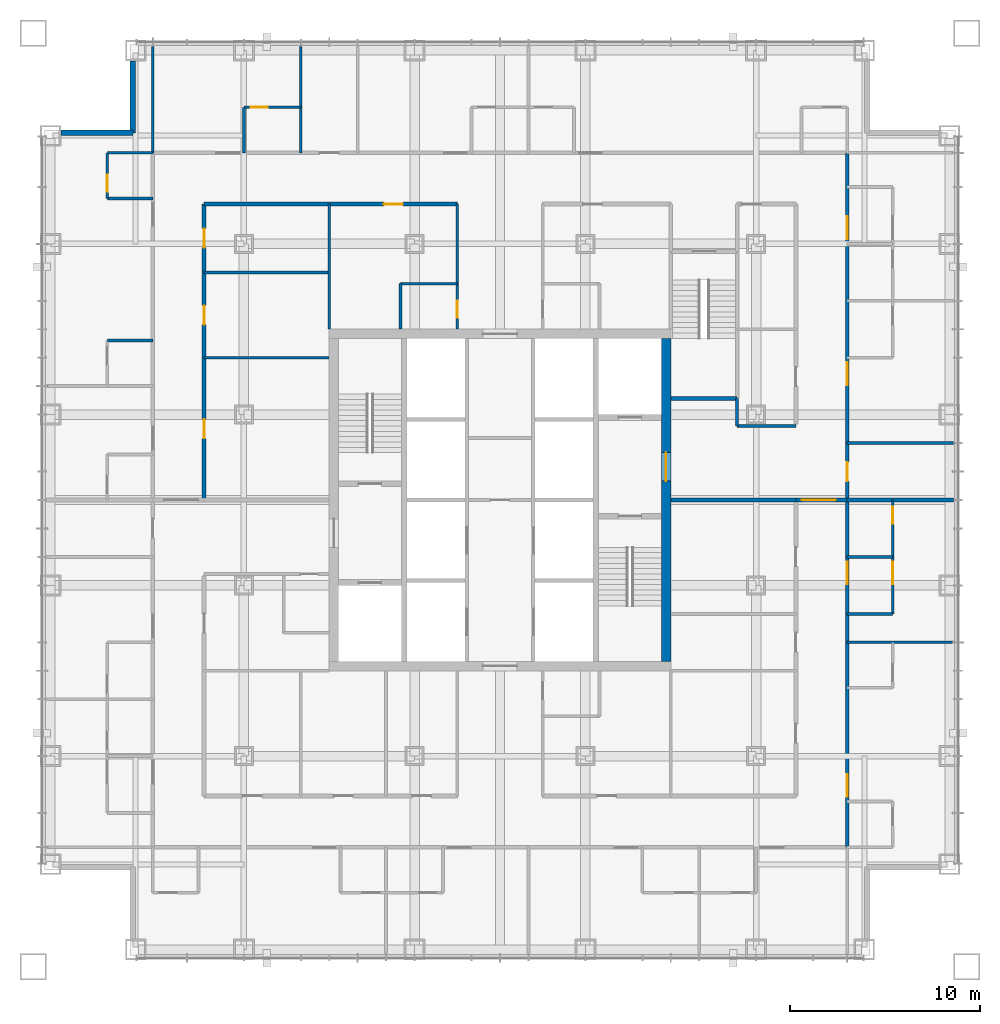
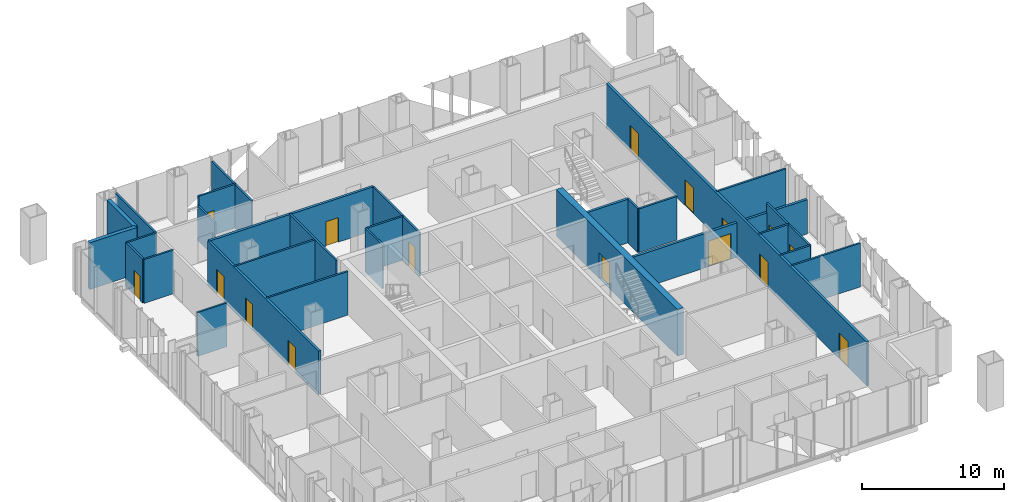
# One storey, part 11 of 14: 32 walls, 16 doors, 16 openings.
"""IFC4 building model written with IfcOpenShell, lengths in metres."""

import ifcopenshell
import ifcopenshell.guid

model = None  # the IFC model being written
_history = None  # IfcOwnerHistory: only IFC2X3 demands one
_inside = {}  # id of a spatial element -> (the spatial element, [elements in it])
_under = {}  # id of a project, library or spatial element -> (it, [spatial elements below it])
_declared = {}  # id of a project -> (the project, [libraries it declares])
_typed = {}  # id of a type object -> (the type object, [elements of that type])
_made_of = {}  # id of a material, layer set ... -> (it, [elements and type objects made of it])


def new_model(schema):
    """Start an empty IFC model of exactly this schema.

    Asked for "IFC4X3", IfcOpenShell would pick the latest addendum, in which some entities
    have other attributes; the version numbers below select the first issue.
    IFC2X3 requires an IfcOwnerHistory on every rooted entity: one is made here for all.
    """
    global model, _history
    if schema == "IFC4X3":
        model = ifcopenshell.file(schema_version=(4, 3, 0, 0))
    else:
        model = ifcopenshell.file(schema=schema)
    _inside.clear()
    _under.clear()
    _declared.clear()
    _typed.clear()
    _made_of.clear()
    _history = None
    if model.schema == "IFC2X3":
        org = make("IfcOrganization", Name="unknown")
        user = make(
            "IfcPersonAndOrganization",
            ThePerson=make("IfcPerson", FamilyName="unknown"),
            TheOrganization=org,
        )
        app = make(
            "IfcApplication",
            ApplicationDeveloper=org,
            Version="unknown",
            ApplicationFullName="unknown",
            ApplicationIdentifier="unknown",
        )
        _history = make(
            "IfcOwnerHistory",
            OwningUser=user,
            OwningApplication=app,
            ChangeAction="ADDED",
            CreationDate=0,
        )
    return model


def make(cls, **values):
    """One entity of the class cls with the attributes given. An attribute that is None is left unset."""
    return model.create_entity(
        cls, **{name: value for name, value in values.items() if value is not None}
    )


def rooted(cls, **values):
    """An entity with a GlobalId (a new one), such as an element, a storey or a relation."""
    return make(cls, GlobalId=ifcopenshell.guid.new(), OwnerHistory=_history, **values)


def si_unit(unit_type, name, prefix=None):
    """IfcSIUnit, for example si_unit("LENGTHUNIT", "METRE", prefix="MILLI")."""
    return make("IfcSIUnit", UnitType=unit_type, Prefix=prefix, Name=name)


def assignment(units):
    """IfcUnitAssignment: the units of a project."""
    return None if units is None else make("IfcUnitAssignment", Units=units)


def point(xyz):
    """IfcCartesianPoint."""
    return None if xyz is None else make("IfcCartesianPoint", Coordinates=xyz)


def direction(xyz):
    """IfcDirection."""
    return None if xyz is None else make("IfcDirection", DirectionRatios=xyz)


def frame(location, z_axis=None, x_axis=None):
    """IfcAxis2Placement3D, a coordinate frame: its origin and axes. An axis left out is left unset."""
    return make(
        "IfcAxis2Placement3D",
        Location=point(location),
        Axis=direction(z_axis),
        RefDirection=direction(x_axis),
    )


def frame_2d(location, x_axis=None):
    """IfcAxis2Placement2D, a coordinate frame in the plane: its origin and x axis."""
    return make(
        "IfcAxis2Placement2D", Location=point(location), RefDirection=direction(x_axis)
    )


def origin():
    """The frame at (0, 0, 0) with its axes left unset."""
    return frame((0.0, 0.0, 0.0))


def place(relative_to, where):
    """IfcLocalPlacement: puts the frame where relative to a parent placement (None: the world)."""
    return make(
        "IfcLocalPlacement", PlacementRelTo=relative_to, RelativePlacement=where
    )


def context(
    kind, dimensions, precision=None, world=None, true_north=None, identifier=None
):
    """IfcGeometricRepresentationContext, for example the 3D "Model" context."""
    return make(
        "IfcGeometricRepresentationContext",
        ContextIdentifier=identifier,
        ContextType=kind,
        CoordinateSpaceDimension=dimensions,
        Precision=precision,
        WorldCoordinateSystem=world,
        TrueNorth=true_north,
    )


def subcontext(parent, identifier, kind, view, scale=None):
    """IfcGeometricRepresentationSubContext, for example "Body" below "Model"."""
    return make(
        "IfcGeometricRepresentationSubContext",
        ContextIdentifier=identifier,
        ContextType=kind,
        ParentContext=parent,
        TargetScale=scale,
        TargetView=view,
    )


def project(units=None, contexts=None):
    """IfcProject with its units and contexts."""
    return rooted(
        "IfcProject",
        Name="project",
        RepresentationContexts=contexts,
        UnitsInContext=assignment(units),
    )


def spatial(cls, under=None, at=None, **own):
    """A site, building, storey or space (cls), placed at a placement, below another one or the project."""
    s = rooted(cls, ObjectPlacement=at, **own)
    if under is not None:
        _under.setdefault(under.id(), (under, []))[1].append(s)
    return s


def profile(cls, at=None, kind="AREA", **sizes):
    """A parametric profile (cls). Its sizes go by their IFC names, for example OverallWidth=200.0."""
    return make(cls, ProfileType=kind, Position=at, **sizes)


def rectangle(**sizes):
    """IfcRectangleProfileDef."""
    return profile("IfcRectangleProfileDef", **sizes)


def extrude(swept, where, along, depth):
    """IfcExtrudedAreaSolid: the profile swept, set in the frame where, extruded along a direction by depth."""
    return make(
        "IfcExtrudedAreaSolid",
        SweptArea=swept,
        Position=where,
        ExtrudedDirection=direction(along),
        Depth=depth,
    )


def shape(context_of_items, identifier, shape_type, items):
    """IfcShapeRepresentation: the items that make up one representation, for example the "Body"."""
    return make(
        "IfcShapeRepresentation",
        ContextOfItems=context_of_items,
        RepresentationIdentifier=identifier,
        RepresentationType=shape_type,
        Items=items,
    )


def material(Name=None, Category=None):
    """IfcMaterial."""
    return make("IfcMaterial", Name=Name, Category=Category)


def layer(
    of_material, thickness, ventilated=None, Name=None, Category=None, Priority=None
):
    """IfcMaterialLayer: one layer of a wall or slab, of a material (None: an air gap)."""
    return make(
        "IfcMaterialLayer",
        Material=of_material,
        LayerThickness=thickness,
        IsVentilated=ventilated,
        Name=Name,
        Category=Category,
        Priority=Priority,
    )


def layer_set(layers, Name=None):
    """IfcMaterialLayerSet."""
    return make("IfcMaterialLayerSet", MaterialLayers=layers, LayerSetName=Name)


def made_of(thing, what):
    """Note that an element or type object is made of a material, layer set ...; save() writes the relation."""
    if what is not None:
        _made_of.setdefault(what.id(), (what, []))[1].append(thing)
    return thing


def type_object(cls, material=None, **own):
    """A type object (cls), such as IfcWallType, which elements share."""
    return made_of(rooted(cls, **own), material)


def element(
    cls,
    number,
    at=None,
    inside=None,
    cuts=None,
    type_object=None,
    material=None,
    context=None,
    identifier="Body",
    shape_type=None,
    held_by="IfcProductDefinitionShape",
    body=None,
    shapes=None,
    **own,
):
    """One element of the class cls, such as IfcWall. Its Tag is "e" and its number.

    at: its placement. inside: the storey or other place that contains it. cuts: it is an
    opening in that element (IfcRelVoidsElement). A single representation is given by context,
    identifier, shape_type and body (its items); several are given by shapes. held_by: the class
    of the entity that holds the representations. save() writes the other relations.
    """
    e = rooted(cls, Tag="e%d" % number, ObjectPlacement=at, **own)
    if body is not None:
        shapes = [shape(context, identifier, shape_type, body)]
    if shapes is not None:
        e.Representation = make(held_by, Representations=shapes)
    if inside is not None:
        _inside.setdefault(inside.id(), (inside, []))[1].append(e)
    if cuts is not None:
        rooted(
            "IfcRelVoidsElement", RelatingBuildingElement=cuts, RelatedOpeningElement=e
        )
    if type_object is not None:
        _typed.setdefault(type_object.id(), (type_object, []))[1].append(e)
    return made_of(e, material)


def fill(opening, filler):
    """IfcRelFillsElement: the door or window that sits in an opening."""
    return rooted(
        "IfcRelFillsElement",
        RelatingOpeningElement=opening,
        RelatedBuildingElement=filler,
    )


def aggregate(whole, parts):
    """IfcRelAggregates: a whole, such as a stair, and the parts it consists of."""
    return rooted("IfcRelAggregates", RelatingObject=whole, RelatedObjects=parts)


def save(model, path):
    """Write the relations noted so far, then the file.

    IfcRelAggregates (storeys below a building ...), IfcRelContainedInSpatialStructure (elements
    in a storey), IfcRelDefinesByType, IfcRelAssociatesMaterial and IfcRelDeclares: one each for
    every whole, place, type object, material and project.
    """
    for whole, parts in _under.values():
        aggregate(whole, parts)
    for where, things in _inside.values():
        rooted(
            "IfcRelContainedInSpatialStructure",
            RelatedElements=things,
            RelatingStructure=where,
        )
    for kind, things in _typed.values():
        rooted("IfcRelDefinesByType", RelatedObjects=things, RelatingType=kind)
    for what, things in _made_of.values():
        rooted("IfcRelAssociatesMaterial", RelatedObjects=things, RelatingMaterial=what)
    for by, libraries in _declared.values():
        rooted("IfcRelDeclares", RelatingContext=by, RelatedDefinitions=libraries)
    model.write(path)


model = new_model("IFC4")

# Units and contexts
model_context = context("Model", 3, precision=1e-05, world=origin(), true_north=direction((0.0, 1.0)))
body_context = subcontext(model_context, "Body", "Model", "MODEL_VIEW")
ifc_project = project(units=[si_unit("LENGTHUNIT", "METRE"), si_unit("AREAUNIT", "SQUARE_METRE"), si_unit("VOLUMEUNIT", "CUBIC_METRE"), si_unit("PLANEANGLEUNIT", "RADIAN"), si_unit("MASSUNIT", "GRAM", prefix="KILO")], contexts=[model_context])

# Site, building, storey
site_placement = place(None, origin())
site = spatial("IfcSite", under=ifc_project, at=site_placement, CompositionType="ELEMENT")
building_placement = place(site_placement, origin())
building = spatial("IfcBuilding", under=site, at=building_placement, Name="Malebo Sky Hospital", CompositionType="ELEMENT")
storey_placement = place(building_placement, frame((0.0, 0.0, 148.0)))
storey = spatial("IfcBuildingStorey", under=building, at=storey_placement, Name="L35", CompositionType="ELEMENT", Elevation=148.0)

# Wall, opening, door
ifc_material_1 = material(Name="Concrete C80/95", Category="concrete")
ifc_layer_1 = layer(ifc_material_1, 0.5)
ifc_layer_set_1 = layer_set([ifc_layer_1], Name="CORE WALL 500")
wall_type_1 = type_object("IfcWallType", Name="CORE WALL 500", PredefinedType="SHEAR", material=ifc_layer_set_1)
wall_1_placement = place(storey_placement, frame((68.75, 53.5, 0.0), z_axis=(0.0, 0.0, 1.0), x_axis=(0.0, 1.0, 0.0)))
wall_1 = element("IfcWall", 1, at=wall_1_placement, inside=storey, type_object=wall_type_1, Name="Core wall E L35", PredefinedType="SHEAR", context=body_context, shape_type="SweptSolid", body=[
    extrude(rectangle(XDim=17.0, YDim=0.5, at=frame_2d((8.5, 0.0))), origin(), (0.0, 0.0, 1.0), 4.0),
])
opening_1_placement = place(wall_1_placement, frame((9.5, 0.0, 0.0)))
opening_1 = element("IfcOpeningElement", 2, at=opening_1_placement, cuts=wall_1, Name="Opening D07", PredefinedType="OPENING", context=body_context, shape_type="SweptSolid", body=[
    extrude(rectangle(XDim=1.5, YDim=2.199951171875, at=frame_2d((0.75, 1.10009765625))), frame((0.0, 0.260009765625, 0.0), z_axis=(0.0, -1.0, 0.0), x_axis=(1.0, 0.0, 0.0)), (0.0, 0.0, 1.0), 0.52001953125),
])
ifc_material_2 = material(Name="Hardwood-faced door leaf in steel frame", Category="steel")
door_type_1 = type_object("IfcDoorType", Name="FIRE-FIGHTING LOBBY DOOR PAIR 1500", OperationType="DOUBLE_DOOR_SINGLE_SWING", PredefinedType="DOOR", material=ifc_material_2)
door_1_placement = place(opening_1_placement, origin())
door_1 = element("IfcDoor", 3, at=door_1_placement, inside=storey, type_object=door_type_1, Name="Fire-fighting lobby door east", OperationType="DOUBLE_DOOR_SINGLE_SWING", OverallHeight=2.199951171875, OverallWidth=1.5, PredefinedType="DOOR", context=body_context, shape_type="SweptSolid", body=[
    extrude(rectangle(XDim=1.5, YDim=2.199951171875, at=frame_2d((0.75, 1.10009765625))), frame((0.0, 0.02490234375, 0.0), z_axis=(0.0, -1.0, 0.0), x_axis=(1.0, 0.0, 0.0)), (0.0, 0.0, 1.0), 0.050048828125),
])
fill(opening_1, door_1)

ifc_material_3 = material(Name="Gypsum board on steel studs", Category="steel")
ifc_layer_2 = layer(ifc_material_3, 0.199951171875)
ifc_layer_set_2 = layer_set([ifc_layer_2], Name="CORRIDOR WALL 200")
wall_type_2 = type_object("IfcWallType", Name="CORRIDOR WALL 200", PredefinedType="PARTITIONING", material=ifc_layer_set_2)
wall_2_placement = place(storey_placement, frame((44.39990234375, 77.60009765625, 0.0), z_axis=(0.0, 0.0, 1.0), x_axis=(1.0, 0.0, 0.0)))
wall_2 = element("IfcWall", 4, at=wall_2_placement, inside=storey, type_object=wall_type_2, Name="Corridor Wall 200 NCI1", PredefinedType="PARTITIONING", context=body_context, shape_type="SweptSolid", body=[
    extrude(rectangle(XDim=13.35009765625, YDim=0.199951171875, at=frame_2d((6.675048828125, 0.0))), origin(), (0.0, 0.0, 1.0), 3.75),
])
opening_2_placement = place(wall_2_placement, frame((9.47509765625, 0.0, 0.0)))
opening_2 = element("IfcOpeningElement", 5, at=opening_2_placement, cuts=wall_2, Name="Opening D03", PredefinedType="OPENING", context=body_context, shape_type="SweptSolid", body=[
    extrude(rectangle(XDim=1.0, YDim=2.10009765625, at=frame_2d((0.5, 1.050048828125))), frame((0.0, 0.10986328125, 0.0), z_axis=(0.0, -1.0, 0.0), x_axis=(1.0, 0.0, 0.0)), (0.0, 0.0, 1.0), 0.219970703125),
])
door_type_2 = type_object("IfcDoorType", Name="ROOM DOOR 1000", OperationType="SINGLE_SWING_LEFT", PredefinedType="DOOR", material=ifc_material_2)
door_2_placement = place(opening_2_placement, origin())
door_2 = element("IfcDoor", 6, at=door_2_placement, inside=storey, type_object=door_type_2, Name="Interview room door", OperationType="SINGLE_SWING_LEFT", OverallHeight=2.10009765625, OverallWidth=1.0, PredefinedType="DOOR", context=body_context, shape_type="SweptSolid", body=[
    extrude(rectangle(XDim=1.0, YDim=2.10009765625, at=frame_2d((0.5, 1.050048828125))), frame((0.0, 0.02490234375, 0.0), z_axis=(0.0, -1.0, 0.0), x_axis=(1.0, 0.0, 0.0)), (0.0, 0.0, 1.0), 0.050048828125),
])
fill(opening_2, door_2)

# Wall, openings, doors
wall_3_placement = place(storey_placement, frame((44.39990234375, 62.0, 0.0), z_axis=(0.0, 0.0, 1.0), x_axis=(0.0, 1.0, 0.0)))
wall_3 = element("IfcWall", 7, at=wall_3_placement, inside=storey, type_object=wall_type_2, Name="Corridor Wall 200 WCI2", PredefinedType="PARTITIONING", context=body_context, shape_type="SweptSolid", body=[
    extrude(rectangle(XDim=15.60009765625, YDim=0.199951171875, at=frame_2d((7.800048828125, 0.0))), origin(), (0.0, 0.0, 1.0), 3.75),
])
opening_3_placement = place(wall_3_placement, frame((3.25, 0.0, 0.0)))
opening_3 = element("IfcOpeningElement", 8, at=opening_3_placement, cuts=wall_3, Name="Opening D03", PredefinedType="OPENING", context=body_context, shape_type="SweptSolid", body=[
    extrude(rectangle(XDim=1.0, YDim=2.10009765625, at=frame_2d((0.5, 1.050048828125))), frame((0.0, 0.10986328125, 0.0), z_axis=(0.0, -1.0, 0.0), x_axis=(1.0, 0.0, 0.0)), (0.0, 0.0, 1.0), 0.219970703125),
])
opening_4_placement = place(wall_3_placement, frame((9.25, 0.0, 0.0)))
opening_4 = element("IfcOpeningElement", 9, at=opening_4_placement, cuts=wall_3, Name="Opening D03", PredefinedType="OPENING", context=body_context, shape_type="SweptSolid", body=[
    extrude(rectangle(XDim=1.0, YDim=2.10009765625, at=frame_2d((0.5, 1.050048828125))), frame((0.0, 0.10986328125, 0.0), z_axis=(0.0, -1.0, 0.0), x_axis=(1.0, 0.0, 0.0)), (0.0, 0.0, 1.0), 0.219970703125),
])
opening_5_placement = place(wall_3_placement, frame((13.300048828125, 0.0, 0.0)))
opening_5 = element("IfcOpeningElement", 10, at=opening_5_placement, cuts=wall_3, Name="Opening D03", PredefinedType="OPENING", context=body_context, shape_type="SweptSolid", body=[
    extrude(rectangle(XDim=1.0, YDim=2.10009765625, at=frame_2d((0.5, 1.050048828125))), frame((0.0, 0.10986328125, 0.0), z_axis=(0.0, -1.0, 0.0), x_axis=(1.0, 0.0, 0.0)), (0.0, 0.0, 1.0), 0.219970703125),
])
door_3_placement = place(opening_3_placement, origin())
door_3 = element("IfcDoor", 11, at=door_3_placement, inside=storey, type_object=door_type_2, Name="Staff rest room door", OperationType="SINGLE_SWING_LEFT", OverallHeight=2.10009765625, OverallWidth=1.0, PredefinedType="DOOR", context=body_context, shape_type="SweptSolid", body=[
    extrude(rectangle(XDim=1.0, YDim=2.10009765625, at=frame_2d((0.5, 1.050048828125))), frame((0.0, 0.02490234375, 0.0), z_axis=(0.0, -1.0, 0.0), x_axis=(1.0, 0.0, 0.0)), (0.0, 0.0, 1.0), 0.050048828125),
])
fill(opening_3, door_3)
door_4_placement = place(opening_4_placement, origin())
door_4 = element("IfcDoor", 12, at=door_4_placement, inside=storey, type_object=door_type_2, Name="Counselling room door", OperationType="SINGLE_SWING_LEFT", OverallHeight=2.10009765625, OverallWidth=1.0, PredefinedType="DOOR", context=body_context, shape_type="SweptSolid", body=[
    extrude(rectangle(XDim=1.0, YDim=2.10009765625, at=frame_2d((0.5, 1.050048828125))), frame((0.0, 0.02490234375, 0.0), z_axis=(0.0, -1.0, 0.0), x_axis=(1.0, 0.0, 0.0)), (0.0, 0.0, 1.0), 0.050048828125),
])
fill(opening_4, door_4)
door_5_placement = place(opening_5_placement, origin())
door_5 = element("IfcDoor", 13, at=door_5_placement, inside=storey, type_object=door_type_2, Name="Medication room door", OperationType="SINGLE_SWING_RIGHT", OverallHeight=2.10009765625, OverallWidth=1.0, PredefinedType="DOOR", context=body_context, shape_type="SweptSolid", body=[
    extrude(rectangle(XDim=1.0, YDim=2.10009765625, at=frame_2d((0.5, 1.050048828125))), frame((0.0, 0.02490234375, 0.0), z_axis=(0.0, -1.0, 0.0), x_axis=(1.0, 0.0, 0.0)), (0.0, 0.0, 1.0), 0.050048828125),
])
fill(opening_5, door_5)

wall_4_placement = place(storey_placement, frame((78.300048828125, 80.300048828125, 0.0), z_axis=(0.0, 0.0, 1.0), x_axis=(0.0, -1.0, 0.0)))
wall_4 = element("IfcWall", 14, at=wall_4_placement, inside=storey, type_object=wall_type_2, Name="Corridor Wall 200 ECO", PredefinedType="PARTITIONING", context=body_context, shape_type="SweptSolid", body=[
    extrude(rectangle(XDim=36.60009765625, YDim=0.199951171875, at=frame_2d((18.300048828125, 0.0))), origin(), (0.0, 0.0, 1.0), 3.75),
])
opening_6_placement = place(wall_4_placement, frame((3.35009765625, 0.0, 0.0)))
opening_6 = element("IfcOpeningElement", 15, at=opening_6_placement, cuts=wall_4, Name="Opening D18", PredefinedType="OPENING", context=body_context, shape_type="SweptSolid", body=[
    extrude(rectangle(XDim=1.199951171875, YDim=2.199951171875, at=frame_2d((0.60009765625, 1.10009765625))), frame((0.0, 0.10986328125, 0.0), z_axis=(0.0, -1.0, 0.0), x_axis=(1.0, 0.0, 0.0)), (0.0, 0.0, 1.0), 0.219970703125),
])
opening_7_placement = place(wall_4_placement, frame((11.050048828125, 0.0, 0.0)))
opening_7 = element("IfcOpeningElement", 16, at=opening_7_placement, cuts=wall_4, Name="Opening D01", PredefinedType="OPENING", context=body_context, shape_type="SweptSolid", body=[
    extrude(rectangle(XDim=1.199951171875, YDim=2.199951171875, at=frame_2d((0.60009765625, 1.10009765625))), frame((0.0, 0.10986328125, 0.0), z_axis=(0.0, -1.0, 0.0), x_axis=(1.0, 0.0, 0.0)), (0.0, 0.0, 1.0), 0.219970703125),
])
opening_8_placement = place(wall_4_placement, frame((16.300048828125, 0.0, 0.0)))
opening_8 = element("IfcOpeningElement", 17, at=opening_8_placement, cuts=wall_4, Name="Opening D03", PredefinedType="OPENING", context=body_context, shape_type="SweptSolid", body=[
    extrude(rectangle(XDim=1.0, YDim=2.10009765625, at=frame_2d((0.5, 1.050048828125))), frame((0.0, 0.10986328125, 0.0), z_axis=(0.0, -1.0, 0.0), x_axis=(1.0, 0.0, 0.0)), (0.0, 0.0, 1.0), 0.219970703125),
])
opening_9_placement = place(wall_4_placement, frame((21.550048828125, 0.0, 0.0)))
opening_9 = element("IfcOpeningElement", 18, at=opening_9_placement, cuts=wall_4, Name="Opening D18", PredefinedType="OPENING", context=body_context, shape_type="SweptSolid", body=[
    extrude(rectangle(XDim=1.199951171875, YDim=2.199951171875, at=frame_2d((0.60009765625, 1.10009765625))), frame((0.0, 0.10986328125, 0.0), z_axis=(0.0, -1.0, 0.0), x_axis=(1.0, 0.0, 0.0)), (0.0, 0.0, 1.0), 0.219970703125),
])
opening_10_placement = place(wall_4_placement, frame((32.75, 0.0, 0.0)))
opening_10 = element("IfcOpeningElement", 19, at=opening_10_placement, cuts=wall_4, Name="Opening D01", PredefinedType="OPENING", context=body_context, shape_type="SweptSolid", body=[
    extrude(rectangle(XDim=1.199951171875, YDim=2.199951171875, at=frame_2d((0.60009765625, 1.10009765625))), frame((0.0, 0.10986328125, 0.0), z_axis=(0.0, -1.0, 0.0), x_axis=(1.0, 0.0, 0.0)), (0.0, 0.0, 1.0), 0.219970703125),
])
door_type_3 = type_object("IfcDoorType", Name="ANTEROOM DOOR 1200", OperationType="SINGLE_SWING_LEFT", PredefinedType="DOOR", material=ifc_material_2)
door_6_placement = place(opening_6_placement, origin())
door_6 = element("IfcDoor", 20, at=door_6_placement, inside=storey, type_object=door_type_3, Name="Anteroom door", OperationType="SINGLE_SWING_RIGHT", OverallHeight=2.199951171875, OverallWidth=1.199951171875, PredefinedType="DOOR", context=body_context, shape_type="SweptSolid", body=[
    extrude(rectangle(XDim=1.199951171875, YDim=2.199951171875, at=frame_2d((0.60009765625, 1.10009765625))), frame((0.0, 0.02490234375, 0.0), z_axis=(0.0, -1.0, 0.0), x_axis=(1.0, 0.0, 0.0)), (0.0, 0.0, 1.0), 0.050048828125),
])
fill(opening_6, door_6)
door_7_placement = place(opening_9_placement, origin())
door_7 = element("IfcDoor", 21, at=door_7_placement, inside=storey, type_object=door_type_3, Name="Anteroom door", OperationType="SINGLE_SWING_LEFT", OverallHeight=2.199951171875, OverallWidth=1.199951171875, PredefinedType="DOOR", context=body_context, shape_type="SweptSolid", body=[
    extrude(rectangle(XDim=1.199951171875, YDim=2.199951171875, at=frame_2d((0.60009765625, 1.10009765625))), frame((0.0, 0.02490234375, 0.0), z_axis=(0.0, -1.0, 0.0), x_axis=(1.0, 0.0, 0.0)), (0.0, 0.0, 1.0), 0.050048828125),
])
fill(opening_9, door_7)
door_type_4 = type_object("IfcDoorType", Name="BED DOOR 1200", OperationType="SINGLE_SWING_LEFT", PredefinedType="DOOR", material=ifc_material_2)
door_8_placement = place(opening_7_placement, origin())
door_8 = element("IfcDoor", 22, at=door_8_placement, inside=storey, type_object=door_type_4, Name="Single bed room door", OperationType="SINGLE_SWING_LEFT", OverallHeight=2.199951171875, OverallWidth=1.199951171875, PredefinedType="DOOR", context=body_context, shape_type="SweptSolid", body=[
    extrude(rectangle(XDim=1.199951171875, YDim=2.199951171875, at=frame_2d((0.60009765625, 1.10009765625))), frame((0.0, 0.02490234375, 0.0), z_axis=(0.0, -1.0, 0.0), x_axis=(1.0, 0.0, 0.0)), (0.0, 0.0, 1.0), 0.050048828125),
])
fill(opening_7, door_8)
door_9_placement = place(opening_10_placement, origin())
door_9 = element("IfcDoor", 23, at=door_9_placement, inside=storey, type_object=door_type_4, Name="Four-bed bay door", OperationType="SINGLE_SWING_RIGHT", OverallHeight=2.199951171875, OverallWidth=1.199951171875, PredefinedType="DOOR", context=body_context, shape_type="SweptSolid", body=[
    extrude(rectangle(XDim=1.199951171875, YDim=2.199951171875, at=frame_2d((0.60009765625, 1.10009765625))), frame((0.0, 0.02490234375, 0.0), z_axis=(0.0, -1.0, 0.0), x_axis=(1.0, 0.0, 0.0)), (0.0, 0.0, 1.0), 0.050048828125),
])
fill(opening_10, door_9)
door_10_placement = place(opening_8_placement, origin())
door_10 = element("IfcDoor", 24, at=door_10_placement, inside=storey, type_object=door_type_2, Name="Interview room door", OperationType="SINGLE_SWING_RIGHT", OverallHeight=2.10009765625, OverallWidth=1.0, PredefinedType="DOOR", context=body_context, shape_type="SweptSolid", body=[
    extrude(rectangle(XDim=1.0, YDim=2.10009765625, at=frame_2d((0.5, 1.050048828125))), frame((0.0, 0.02490234375, 0.0), z_axis=(0.0, -1.0, 0.0), x_axis=(1.0, 0.0, 0.0)), (0.0, 0.0, 1.0), 0.050048828125),
])
fill(opening_8, door_10)

# Walls
ifc_material_4 = material(Name="Anodised aluminium rainscreen on steel framing", Category="steel")
ifc_layer_3 = layer(ifc_material_4, 0.300048828125)
ifc_layer_set_3 = layer_set([ifc_layer_3], Name="NOTCH RAINSCREEN WALL 300")
wall_type_3 = type_object("IfcWallType", Name="NOTCH RAINSCREEN WALL 300", PredefinedType="ELEMENTEDWALL", material=ifc_layer_set_3)
for number, where, z_axis, x_axis, name in (
    (25, (36.85009765625, 81.35009765625, 0.0), (0.0, 0.0, 1.0), (1.0, 0.0, 0.0), "Notch rainscreen wall W1 L35"),
    (26, (40.64990234375, 81.35009765625, 0.0), (0.0, 0.0, 1.0), (0.0, 1.0, 0.0), "Notch rainscreen wall W2 L35"),
):
    element("IfcWall", number, at=place(storey_placement, frame(where, z_axis=z_axis, x_axis=x_axis)), inside=storey, type_object=wall_type_3, Name=name, PredefinedType="ELEMENTEDWALL", context=body_context, shape_type="SweptSolid", body=[
        extrude(rectangle(XDim=3.7998046875, YDim=0.300048828125, at=frame_2d((1.89990234375, 0.0))), origin(), (0.0, 0.0, 1.0), 4.0),
    ])
ifc_layer_4 = layer(ifc_material_3, 0.14990234375)
ifc_layer_set_4 = layer_set([ifc_layer_4], Name="PARTITION 150")
wall_type_4 = type_object("IfcWallType", Name="PARTITION 150", PredefinedType="PARTITIONING", material=ifc_layer_set_4)
for number, where, z_axis, x_axis, name in (
    (27, (49.5, 80.300048828125, 0.0), (0.0, 0.0, 1.0), (0.0, 1.0, 0.0), "Partition 150 NP-10.5"),
    (28, (41.699951171875, 80.300048828125, 0.0), (0.0, 0.0, 1.0), (0.0, 1.0, 0.0), "Partition 150 NP0"),
):
    element("IfcWall", number, at=place(storey_placement, frame(where, z_axis=z_axis, x_axis=x_axis)), inside=storey, type_object=wall_type_4, Name=name, PredefinedType="PARTITIONING", context=body_context, shape_type="SweptSolid", body=[
        extrude(rectangle(XDim=5.60986328125, YDim=0.14990234375, at=frame_2d((2.804931640625, 0.0))), origin(), (0.0, 0.0, 1.0), 3.75),
    ])

# Wall, opening, door
wall_5_placement = place(storey_placement, frame((46.5, 82.699951171875, 0.0), z_axis=(0.0, 0.0, 1.0), x_axis=(1.0, 0.0, 0.0)))
wall_5 = element("IfcWall", 29, at=wall_5_placement, inside=storey, type_object=wall_type_4, Name="Partition 150 NE0F", PredefinedType="PARTITIONING", context=body_context, shape_type="SweptSolid", body=[
    extrude(rectangle(XDim=3.0, YDim=0.14990234375, at=frame_2d((1.5, 0.0))), origin(), (0.0, 0.0, 1.0), 3.75),
])
opening_11_placement = place(wall_5_placement, frame((0.35009765625, 0.0, 0.0)))
opening_11 = element("IfcOpeningElement", 30, at=opening_11_placement, cuts=wall_5, Name="Opening D02", PredefinedType="OPENING", context=body_context, shape_type="SweptSolid", body=[
    extrude(rectangle(XDim=0.89990234375, YDim=2.10009765625, at=frame_2d((0.449951171875, 1.050048828125))), frame((0.0, 0.0849609375, 0.0), z_axis=(0.0, -1.0, 0.0), x_axis=(1.0, 0.0, 0.0)), (0.0, 0.0, 1.0), 0.169921875),
])
door_type_5 = type_object("IfcDoorType", Name="EN-SUITE DOOR 900", OperationType="SINGLE_SWING_LEFT", PredefinedType="DOOR", material=ifc_material_2)
door_11_placement = place(opening_11_placement, origin())
door_11 = element("IfcDoor", 31, at=door_11_placement, inside=storey, type_object=door_type_5, Name="En-suite door", OperationType="SINGLE_SWING_LEFT", OverallHeight=2.10009765625, OverallWidth=0.89990234375, PredefinedType="DOOR", context=body_context, shape_type="SweptSolid", body=[
    extrude(rectangle(XDim=0.89990234375, YDim=2.10009765625, at=frame_2d((0.449951171875, 1.050048828125))), frame((0.0, 0.02490234375, 0.0), z_axis=(0.0, -1.0, 0.0), x_axis=(1.0, 0.0, 0.0)), (0.0, 0.0, 1.0), 0.050048828125),
])
fill(opening_11, door_11)

# Walls
wall_6_placement = place(storey_placement, frame((46.5, 80.300048828125, 0.0), z_axis=(0.0, 0.0, 1.0), x_axis=(0.0, 1.0, 0.0)))
element("IfcWall", 32, at=wall_6_placement, inside=storey, type_object=wall_type_4, Name="Partition 150 NE0S", PredefinedType="PARTITIONING", context=body_context, shape_type="SweptSolid", body=[
    extrude(rectangle(XDim=2.39990234375, YDim=0.14990234375, at=frame_2d((1.199951171875, 0.0))), origin(), (0.0, 0.0, 1.0), 2.949951171875),
])
wall_7_placement = place(storey_placement, frame((51.0, 71.0, 0.0), z_axis=(0.0, 0.0, 1.0), x_axis=(0.0, 1.0, 0.0)))
element("IfcWall", 33, at=wall_7_placement, inside=storey, type_object=wall_type_4, Name="Partition 150 NSP0", PredefinedType="PARTITIONING", context=body_context, shape_type="SweptSolid", body=[
    extrude(rectangle(XDim=6.60009765625, YDim=0.14990234375, at=frame_2d((3.300048828125, 0.0))), origin(), (0.0, 0.0, 1.0), 3.75),
])

# Wall, opening, door
wall_8_placement = place(storey_placement, frame((57.75, 71.0, 0.0), z_axis=(0.0, 0.0, 1.0), x_axis=(0.0, 1.0, 0.0)))
wall_8 = element("IfcWall", 34, at=wall_8_placement, inside=storey, type_object=wall_type_4, Name="Partition 150 NSPA", PredefinedType="PARTITIONING", context=body_context, shape_type="SweptSolid", body=[
    extrude(rectangle(XDim=6.60009765625, YDim=0.14990234375, at=frame_2d((3.300048828125, 0.0))), origin(), (0.0, 0.0, 1.0), 3.75),
])
opening_12_placement = place(wall_8_placement, frame((0.60009765625, 0.0, 0.0)))
opening_12 = element("IfcOpeningElement", 35, at=opening_12_placement, cuts=wall_8, Name="Opening D04", PredefinedType="OPENING", context=body_context, shape_type="SweptSolid", body=[
    extrude(rectangle(XDim=0.89990234375, YDim=2.10009765625, at=frame_2d((0.449951171875, 1.050048828125))), frame((0.0, 0.0849609375, 0.0), z_axis=(0.0, -1.0, 0.0), x_axis=(1.0, 0.0, 0.0)), (0.0, 0.0, 1.0), 0.169921875),
])
door_type_6 = type_object("IfcDoorType", Name="ROOM DOOR 900", OperationType="SINGLE_SWING_LEFT", PredefinedType="DOOR", material=ifc_material_2)
door_12_placement = place(opening_12_placement, origin())
door_12 = element("IfcDoor", 36, at=door_12_placement, inside=storey, type_object=door_type_6, Name="Staff WC door", OperationType="SINGLE_SWING_LEFT", OverallHeight=2.10009765625, OverallWidth=0.89990234375, PredefinedType="DOOR", context=body_context, shape_type="SweptSolid", body=[
    extrude(rectangle(XDim=0.89990234375, YDim=2.10009765625, at=frame_2d((0.449951171875, 1.050048828125))), frame((0.0, 0.02490234375, 0.0), z_axis=(0.0, -1.0, 0.0), x_axis=(1.0, 0.0, 0.0)), (0.0, 0.0, 1.0), 0.050048828125),
])
fill(opening_12, door_12)

# Walls
wall_9_placement = place(storey_placement, frame((54.75, 73.39990234375, 0.0), z_axis=(0.0, 0.0, 1.0), x_axis=(1.0, 0.0, 0.0)))
element("IfcWall", 37, at=wall_9_placement, inside=storey, type_object=wall_type_4, Name="Partition 150 NSX0", PredefinedType="PARTITIONING", context=body_context, shape_type="SweptSolid", body=[
    extrude(rectangle(XDim=3.0, YDim=0.14990234375, at=frame_2d((1.5, 0.0))), origin(), (0.0, 0.0, 1.0), 3.75),
])
wall_10_placement = place(storey_placement, frame((54.75, 71.0, 0.0), z_axis=(0.0, 0.0, 1.0), x_axis=(0.0, 1.0, 0.0)))
element("IfcWall", 38, at=wall_10_placement, inside=storey, type_object=wall_type_4, Name="Partition 150 NSY0", PredefinedType="PARTITIONING", context=body_context, shape_type="SweptSolid", body=[
    extrude(rectangle(XDim=2.39990234375, YDim=0.14990234375, at=frame_2d((1.199951171875, 0.0))), origin(), (0.0, 0.0, 1.0), 3.75),
])

# Wall, opening, door
wall_11_placement = place(storey_placement, frame((39.300048828125, 77.89990234375, 0.0), z_axis=(0.0, 0.0, 1.0), x_axis=(0.0, 1.0, 0.0)))
wall_11 = element("IfcWall", 39, at=wall_11_placement, inside=storey, type_object=wall_type_4, Name="Partition 150 WE4F", PredefinedType="PARTITIONING", context=body_context, shape_type="SweptSolid", body=[
    extrude(rectangle(XDim=2.400146484375, YDim=0.14990234375, at=frame_2d((1.2001953125, 0.0))), origin(), (0.0, 0.0, 1.0), 3.75),
])
opening_13_placement = place(wall_11_placement, frame((0.35009765625, 0.0, 0.0)))
opening_13 = element("IfcOpeningElement", 40, at=opening_13_placement, cuts=wall_11, Name="Opening D02", PredefinedType="OPENING", context=body_context, shape_type="SweptSolid", body=[
    extrude(rectangle(XDim=0.89990234375, YDim=2.10009765625, at=frame_2d((0.449951171875, 1.050048828125))), frame((0.0, 0.0849609375, 0.0), z_axis=(0.0, -1.0, 0.0), x_axis=(1.0, 0.0, 0.0)), (0.0, 0.0, 1.0), 0.169921875),
])
door_13_placement = place(opening_13_placement, origin())
door_13 = element("IfcDoor", 41, at=door_13_placement, inside=storey, type_object=door_type_5, Name="En-suite door", OperationType="SINGLE_SWING_LEFT", OverallHeight=2.10009765625, OverallWidth=0.89990234375, PredefinedType="DOOR", context=body_context, shape_type="SweptSolid", body=[
    extrude(rectangle(XDim=0.89990234375, YDim=2.10009765625, at=frame_2d((0.449951171875, 1.050048828125))), frame((0.0, 0.02490234375, 0.0), z_axis=(0.0, -1.0, 0.0), x_axis=(1.0, 0.0, 0.0)), (0.0, 0.0, 1.0), 0.050048828125),
])
fill(opening_13, door_13)

# Walls
for number, where, z_axis, x_axis, name in (
    (42, (41.699951171875, 77.89990234375, 0.0), (0.0, 0.0, 1.0), (-1.0, 0.0, 0.0), "Partition 150 WE4S"),
    (43, (41.699951171875, 70.39990234375, 0.0), (0.0, 0.0, 1.0), (-1.0, 0.0, 0.0), "Partition 150 WG4S"),
    (44, (41.699951171875, 80.300048828125, 0.0), (0.0, 0.0, 1.0), (-1.0, 0.0, 0.0), "Partition 150 WEZ"),
):
    element("IfcWall", number, at=place(storey_placement, frame(where, z_axis=z_axis, x_axis=x_axis)), inside=storey, type_object=wall_type_4, Name=name, PredefinedType="PARTITIONING", context=body_context, shape_type="SweptSolid", body=[
        extrude(rectangle(XDim=2.39990234375, YDim=0.14990234375, at=frame_2d((1.199951171875, 0.0))), origin(), (0.0, 0.0, 1.0), 3.75),
    ])
for number, where, z_axis, x_axis, name in (
    (45, (51.0, 69.5, 0.0), (0.0, 0.0, 1.0), (-1.0, 0.0, 0.0), "Partition 150 WSP+7.5"),
    (46, (51.0, 74.0, 0.0), (0.0, 0.0, 1.0), (-1.0, 0.0, 0.0), "Partition 150 WSP+12.0"),
):
    element("IfcWall", number, at=place(storey_placement, frame(where, z_axis=z_axis, x_axis=x_axis)), inside=storey, type_object=wall_type_4, Name=name, PredefinedType="PARTITIONING", context=body_context, shape_type="SweptSolid", body=[
        extrude(rectangle(XDim=6.60009765625, YDim=0.14990234375, at=frame_2d((3.300048828125, 0.0))), origin(), (0.0, 0.0, 1.0), 3.75),
    ])
for number, where, z_axis, x_axis, name in (
    (47, (78.300048828125, 65.0, 0.0), (0.0, 0.0, 1.0), (1.0, 0.0, 0.0), "Partition 150 EP-3.0"),
    (48, (78.300048828125, 54.5, 0.0), (0.0, 0.0, 1.0), (1.0, 0.0, 0.0), "Partition 150 EP+7.5"),
):
    element("IfcWall", number, at=place(storey_placement, frame(where, z_axis=z_axis, x_axis=x_axis)), inside=storey, type_object=wall_type_4, Name=name, PredefinedType="PARTITIONING", context=body_context, shape_type="SweptSolid", body=[
        extrude(rectangle(XDim=5.60986328125, YDim=0.14990234375, at=frame_2d((2.804931640625, 0.0))), origin(), (0.0, 0.0, 1.0), 3.75),
    ])

# Wall, opening, door
wall_12_placement = place(storey_placement, frame((80.699951171875, 62.0, 0.0), z_axis=(0.0, 0.0, 1.0), x_axis=(0.0, -1.0, 0.0)))
wall_12 = element("IfcWall", 49, at=wall_12_placement, inside=storey, type_object=wall_type_4, Name="Partition 150 EE3F", PredefinedType="PARTITIONING", context=body_context, shape_type="SweptSolid", body=[
    extrude(rectangle(XDim=3.0, YDim=0.14990234375, at=frame_2d((1.5, 0.0))), origin(), (0.0, 0.0, 1.0), 3.75),
])
opening_14_placement = place(wall_12_placement, frame((0.35009765625, 0.0, 0.0)))
opening_14 = element("IfcOpeningElement", 50, at=opening_14_placement, cuts=wall_12, Name="Opening D02", PredefinedType="OPENING", context=body_context, shape_type="SweptSolid", body=[
    extrude(rectangle(XDim=0.89990234375, YDim=2.10009765625, at=frame_2d((0.449951171875, 1.050048828125))), frame((0.0, 0.0849609375, 0.0), z_axis=(0.0, -1.0, 0.0), x_axis=(1.0, 0.0, 0.0)), (0.0, 0.0, 1.0), 0.169921875),
])
door_14_placement = place(opening_14_placement, origin())
door_14 = element("IfcDoor", 51, at=door_14_placement, inside=storey, type_object=door_type_5, Name="En-suite door", OperationType="SINGLE_SWING_LEFT", OverallHeight=2.10009765625, OverallWidth=0.89990234375, PredefinedType="DOOR", context=body_context, shape_type="SweptSolid", body=[
    extrude(rectangle(XDim=0.89990234375, YDim=2.10009765625, at=frame_2d((0.449951171875, 1.050048828125))), frame((0.0, 0.02490234375, 0.0), z_axis=(0.0, -1.0, 0.0), x_axis=(1.0, 0.0, 0.0)), (0.0, 0.0, 1.0), 0.050048828125),
])
fill(opening_14, door_14)

# Walls
wall_13_placement = place(storey_placement, frame((78.300048828125, 59.0, 0.0), z_axis=(0.0, 0.0, 1.0), x_axis=(1.0, 0.0, 0.0)))
element("IfcWall", 52, at=wall_13_placement, inside=storey, type_object=wall_type_4, Name="Partition 150 EE3S", PredefinedType="PARTITIONING", context=body_context, shape_type="SweptSolid", body=[
    extrude(rectangle(XDim=2.39990234375, YDim=0.14990234375, at=frame_2d((1.199951171875, 0.0))), origin(), (0.0, 0.0, 1.0), 3.75),
])
wall_14_placement = place(storey_placement, frame((72.5, 65.89990234375, 0.0), z_axis=(0.0, 0.0, 1.0), x_axis=(1.0, 0.0, 0.0)))
element("IfcWall", 53, at=wall_14_placement, inside=storey, type_object=wall_type_4, Name="Partition 150 ESPA", PredefinedType="PARTITIONING", context=body_context, shape_type="SweptSolid", body=[
    extrude(rectangle(XDim=3.10009765625, YDim=0.14990234375, at=frame_2d((1.550048828125, 0.0))), origin(), (0.0, 0.0, 1.0), 3.75),
])
wall_15_placement = place(storey_placement, frame((72.5, 65.89990234375, 0.0), z_axis=(0.0, 0.0, 1.0), x_axis=(0.0, 1.0, 0.0)))
element("IfcWall", 54, at=wall_15_placement, inside=storey, type_object=wall_type_4, Name="Partition 150 ST3C", PredefinedType="PARTITIONING", context=body_context, shape_type="SweptSolid", body=[
    extrude(rectangle(XDim=1.4501953125, YDim=0.14990234375, at=frame_2d((0.72509765625, 0.0))), origin(), (0.0, 0.0, 1.0), 3.75),
])

# Wall, opening, door
ifc_material_5 = material(Name="Sealed gypsum board on steel studs, taped to the slab", Category="steel")
ifc_layer_5 = layer(ifc_material_5, 0.14990234375)
ifc_layer_set_5 = layer_set([ifc_layer_5], Name="SEALED ISOLATION PARTITION 150")
wall_type_5 = type_object("IfcWallType", Name="SEALED ISOLATION PARTITION 150", PredefinedType="PARTITIONING", material=ifc_layer_set_5)
wall_16_placement = place(storey_placement, frame((80.699951171875, 59.0, 0.0), z_axis=(0.0, 0.0, 1.0), x_axis=(0.0, -1.0, 0.0)))
wall_16 = element("IfcWall", 55, at=wall_16_placement, inside=storey, type_object=wall_type_5, Name="Sealed Isolation Partition 150 EA3F", PredefinedType="PARTITIONING", context=body_context, shape_type="SweptSolid", body=[
    extrude(rectangle(XDim=3.0, YDim=0.14990234375, at=frame_2d((1.5, 0.0))), origin(), (0.0, 0.0, 1.0), 3.75),
])
opening_15_placement = place(wall_16_placement, frame((0.25, 0.0, 0.0)))
opening_15 = element("IfcOpeningElement", 56, at=opening_15_placement, cuts=wall_16, Name="Opening D19", PredefinedType="OPENING", context=body_context, shape_type="SweptSolid", body=[
    extrude(rectangle(XDim=1.199951171875, YDim=2.199951171875, at=frame_2d((0.60009765625, 1.10009765625))), frame((0.0, 0.0849609375, 0.0), z_axis=(0.0, -1.0, 0.0), x_axis=(1.0, 0.0, 0.0)), (0.0, 0.0, 1.0), 0.169921875),
])
ifc_material_6 = material(Name="Hardwood-faced door leaf with perimeter seals in steel frame", Category="steel")
door_type_7 = type_object("IfcDoorType", Name="SEALED ISOLATION ROOM DOOR 1200", OperationType="SINGLE_SWING_LEFT", PredefinedType="DOOR", material=ifc_material_6)
door_15_placement = place(opening_15_placement, origin())
door_15 = element("IfcDoor", 57, at=door_15_placement, inside=storey, type_object=door_type_7, Name="Isolation room door", OperationType="SINGLE_SWING_LEFT", OverallHeight=2.199951171875, OverallWidth=1.199951171875, PredefinedType="DOOR", context=body_context, shape_type="SweptSolid", body=[
    extrude(rectangle(XDim=1.199951171875, YDim=2.199951171875, at=frame_2d((0.60009765625, 1.10009765625))), frame((0.0, 0.02490234375, 0.0), z_axis=(0.0, -1.0, 0.0), x_axis=(1.0, 0.0, 0.0)), (0.0, 0.0, 1.0), 0.050048828125),
])
fill(opening_15, door_15)

# Walls
wall_17_placement = place(storey_placement, frame((78.300048828125, 56.0, 0.0), z_axis=(0.0, 0.0, 1.0), x_axis=(1.0, 0.0, 0.0)))
element("IfcWall", 58, at=wall_17_placement, inside=storey, type_object=wall_type_5, Name="Sealed Isolation Partition 150 EA3S", PredefinedType="PARTITIONING", context=body_context, shape_type="SweptSolid", body=[
    extrude(rectangle(XDim=2.39990234375, YDim=0.14990234375, at=frame_2d((1.199951171875, 0.0))), origin(), (0.0, 0.0, 1.0), 3.75),
])
ifc_material_7 = material(Name="Concrete blockwork", Category="masonry")
ifc_layer_6 = layer(ifc_material_7, 0.199951171875)
ifc_layer_set_6 = layer_set([ifc_layer_6], Name="SMOKE BARRIER WALL 200")
wall_type_6 = type_object("IfcWallType", Name="SMOKE BARRIER WALL 200", PredefinedType="SOLIDWALL", material=ifc_layer_set_6)
wall_18_placement = place(storey_placement, frame((78.300048828125, 62.0, 0.0), z_axis=(0.0, 0.0, 1.0), x_axis=(1.0, 0.0, 0.0)))
element("IfcWall", 59, at=wall_18_placement, inside=storey, type_object=wall_type_6, Name="Smoke Barrier Wall 200 EP+0.0", PredefinedType="SOLIDWALL", context=body_context, shape_type="SweptSolid", body=[
    extrude(rectangle(XDim=5.60986328125, YDim=0.199951171875, at=frame_2d((2.804931640625, 0.0))), origin(), (0.0, 0.0, 1.0), 2.949951171875),
])
wall_19_placement = place(storey_placement, frame((69.0, 62.0, 0.0), z_axis=(0.0, 0.0, 1.0), x_axis=(1.0, 0.0, 0.0)))
element("IfcWall", 60, at=wall_19_placement, inside=storey, type_object=wall_type_6, Name="Smoke Barrier Wall 200 ESPB", PredefinedType="SOLIDWALL", context=body_context, shape_type="SweptSolid", body=[
    extrude(rectangle(XDim=6.60009765625, YDim=0.199951171875, at=frame_2d((3.300048828125, 0.0))), origin(), (0.0, 0.0, 1.0), 2.949951171875),
])

# Wall, opening, door
wall_20_placement = place(storey_placement, frame((75.60009765625, 62.0, 0.0), z_axis=(0.0, 0.0, 1.0), x_axis=(1.0, 0.0, 0.0)))
wall_20 = element("IfcWall", 61, at=wall_20_placement, inside=storey, type_object=wall_type_6, Name="Smoke Barrier Wall 200 ESB", PredefinedType="SOLIDWALL", context=body_context, shape_type="SweptSolid", body=[
    extrude(rectangle(XDim=2.699951171875, YDim=0.199951171875, at=frame_2d((1.35009765625, 0.0))), origin(), (0.0, 0.0, 1.0), 2.949951171875),
])
opening_16_placement = place(wall_20_placement, frame((0.300048828125, 0.0, 0.0)))
opening_16 = element("IfcOpeningElement", 62, at=opening_16_placement, cuts=wall_20, Name="Opening D05", PredefinedType="OPENING", context=body_context, shape_type="SweptSolid", body=[
    extrude(rectangle(XDim=1.800048828125, YDim=2.199951171875, at=frame_2d((0.89990234375, 1.10009765625))), frame((0.0, 0.10986328125, 0.0), z_axis=(0.0, -1.0, 0.0), x_axis=(1.0, 0.0, 0.0)), (0.0, 0.0, 1.0), 0.219970703125),
])
door_type_8 = type_object("IfcDoorType", Name="SMOKE DOOR PAIR 1800", OperationType="DOUBLE_DOOR_DOUBLE_SWING", PredefinedType="DOOR", material=ifc_material_2)
door_16_placement = place(opening_16_placement, origin())
door_16 = element("IfcDoor", 63, at=door_16_placement, inside=storey, type_object=door_type_8, Name="Smoke compartment door pair", OperationType="DOUBLE_DOOR_DOUBLE_SWING", OverallHeight=2.199951171875, OverallWidth=1.800048828125, PredefinedType="DOOR", context=body_context, shape_type="SweptSolid", body=[
    extrude(rectangle(XDim=1.800048828125, YDim=2.199951171875, at=frame_2d((0.89990234375, 1.10009765625))), frame((0.0, 0.02490234375, 0.0), z_axis=(0.0, -1.0, 0.0), x_axis=(1.0, 0.0, 0.0)), (0.0, 0.0, 1.0), 0.050048828125),
])
fill(opening_16, door_16)

# Wall
ifc_material_8 = material(Name="Concrete C40/50", Category="concrete")
ifc_layer_7 = layer(ifc_material_8, 0.199951171875)
ifc_layer_set_7 = layer_set([ifc_layer_7], Name="STAIR ENCLOSURE WALL 200")
wall_type_7 = type_object("IfcWallType", Name="STAIR ENCLOSURE WALL 200", PredefinedType="SOLIDWALL", material=ifc_layer_set_7)
wall_21_placement = place(storey_placement, frame((69.0, 67.35009765625, 0.0), z_axis=(0.0, 0.0, 1.0), x_axis=(1.0, 0.0, 0.0)))
element("IfcWall", 64, at=wall_21_placement, inside=storey, type_object=wall_type_7, Name="Stair Enclosure Wall 200 ST3S", PredefinedType="SOLIDWALL", context=body_context, shape_type="SweptSolid", body=[
    extrude(rectangle(XDim=3.5, YDim=0.199951171875, at=frame_2d((1.75, 0.0))), origin(), (0.0, 0.0, 1.0), 3.75),
])

save(model, "model.ifc")
